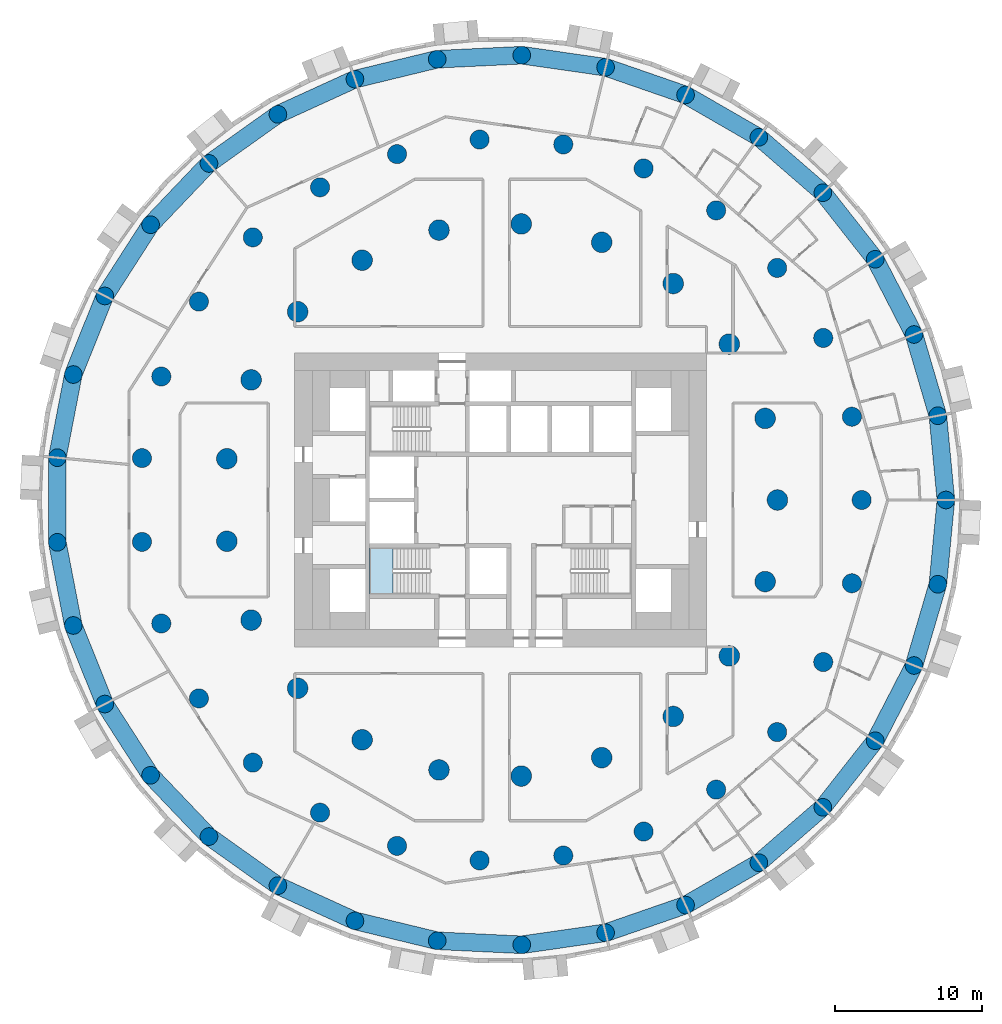
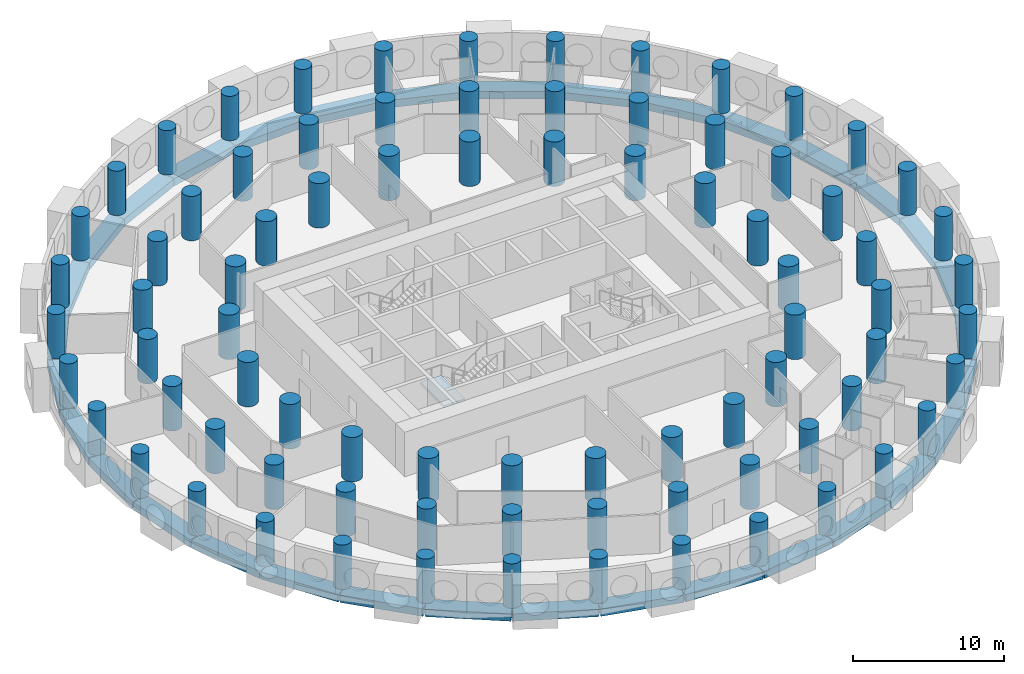
# One storey, part 1 of 12: 81 columns, 33 beams, 1 slab, 1 element without a shape of its own.
"""IFC4 building model written with IfcOpenShell, lengths in metres."""

import ifcopenshell
import ifcopenshell.guid

model = None  # the IFC model being written
_history = None  # IfcOwnerHistory: only IFC2X3 demands one
_inside = {}  # id of a spatial element -> (the spatial element, [elements in it])
_under = {}  # id of a project, library or spatial element -> (it, [spatial elements below it])
_declared = {}  # id of a project -> (the project, [libraries it declares])
_typed = {}  # id of a type object -> (the type object, [elements of that type])
_made_of = {}  # id of a material, layer set ... -> (it, [elements and type objects made of it])


def new_model(schema):
    """Start an empty IFC model of exactly this schema.

    Asked for "IFC4X3", IfcOpenShell would pick the latest addendum, in which some entities
    have other attributes; the version numbers below select the first issue.
    IFC2X3 requires an IfcOwnerHistory on every rooted entity: one is made here for all.
    """
    global model, _history
    if schema == "IFC4X3":
        model = ifcopenshell.file(schema_version=(4, 3, 0, 0))
    else:
        model = ifcopenshell.file(schema=schema)
    _inside.clear()
    _under.clear()
    _declared.clear()
    _typed.clear()
    _made_of.clear()
    _history = None
    if model.schema == "IFC2X3":
        org = make("IfcOrganization", Name="unknown")
        user = make(
            "IfcPersonAndOrganization",
            ThePerson=make("IfcPerson", FamilyName="unknown"),
            TheOrganization=org,
        )
        app = make(
            "IfcApplication",
            ApplicationDeveloper=org,
            Version="unknown",
            ApplicationFullName="unknown",
            ApplicationIdentifier="unknown",
        )
        _history = make(
            "IfcOwnerHistory",
            OwningUser=user,
            OwningApplication=app,
            ChangeAction="ADDED",
            CreationDate=0,
        )
    return model


def make(cls, **values):
    """One entity of the class cls with the attributes given. An attribute that is None is left unset."""
    return model.create_entity(
        cls, **{name: value for name, value in values.items() if value is not None}
    )


def rooted(cls, **values):
    """An entity with a GlobalId (a new one), such as an element, a storey or a relation."""
    return make(cls, GlobalId=ifcopenshell.guid.new(), OwnerHistory=_history, **values)


def si_unit(unit_type, name, prefix=None):
    """IfcSIUnit, for example si_unit("LENGTHUNIT", "METRE", prefix="MILLI")."""
    return make("IfcSIUnit", UnitType=unit_type, Prefix=prefix, Name=name)


def assignment(units):
    """IfcUnitAssignment: the units of a project."""
    return None if units is None else make("IfcUnitAssignment", Units=units)


def point(xyz):
    """IfcCartesianPoint."""
    return None if xyz is None else make("IfcCartesianPoint", Coordinates=xyz)


def direction(xyz):
    """IfcDirection."""
    return None if xyz is None else make("IfcDirection", DirectionRatios=xyz)


def frame(location, z_axis=None, x_axis=None):
    """IfcAxis2Placement3D, a coordinate frame: its origin and axes. An axis left out is left unset."""
    return make(
        "IfcAxis2Placement3D",
        Location=point(location),
        Axis=direction(z_axis),
        RefDirection=direction(x_axis),
    )


def frame_2d(location, x_axis=None):
    """IfcAxis2Placement2D, a coordinate frame in the plane: its origin and x axis."""
    return make(
        "IfcAxis2Placement2D", Location=point(location), RefDirection=direction(x_axis)
    )


def origin():
    """The frame at (0, 0, 0) with its axes left unset."""
    return frame((0.0, 0.0, 0.0))


def origin_2d():
    """The frame at (0, 0) in the plane with its x axis left unset."""
    return frame_2d((0.0, 0.0))


def place(relative_to, where):
    """IfcLocalPlacement: puts the frame where relative to a parent placement (None: the world)."""
    return make(
        "IfcLocalPlacement", PlacementRelTo=relative_to, RelativePlacement=where
    )


def context(
    kind, dimensions, precision=None, world=None, true_north=None, identifier=None
):
    """IfcGeometricRepresentationContext, for example the 3D "Model" context."""
    return make(
        "IfcGeometricRepresentationContext",
        ContextIdentifier=identifier,
        ContextType=kind,
        CoordinateSpaceDimension=dimensions,
        Precision=precision,
        WorldCoordinateSystem=world,
        TrueNorth=true_north,
    )


def subcontext(parent, identifier, kind, view, scale=None):
    """IfcGeometricRepresentationSubContext, for example "Body" below "Model"."""
    return make(
        "IfcGeometricRepresentationSubContext",
        ContextIdentifier=identifier,
        ContextType=kind,
        ParentContext=parent,
        TargetScale=scale,
        TargetView=view,
    )


def project(units=None, contexts=None):
    """IfcProject with its units and contexts."""
    return rooted(
        "IfcProject",
        Name="project",
        RepresentationContexts=contexts,
        UnitsInContext=assignment(units),
    )


def spatial(cls, under=None, at=None, **own):
    """A site, building, storey or space (cls), placed at a placement, below another one or the project."""
    s = rooted(cls, ObjectPlacement=at, **own)
    if under is not None:
        _under.setdefault(under.id(), (under, []))[1].append(s)
    return s


def polyline(points):
    """IfcPolyline through the points."""
    return make("IfcPolyline", Points=[point(p) for p in points])


def profile(cls, at=None, kind="AREA", **sizes):
    """A parametric profile (cls). Its sizes go by their IFC names, for example OverallWidth=200.0."""
    return make(cls, ProfileType=kind, Position=at, **sizes)


def rectangle(**sizes):
    """IfcRectangleProfileDef."""
    return profile("IfcRectangleProfileDef", **sizes)


def circle(**sizes):
    """IfcCircleProfileDef."""
    return profile("IfcCircleProfileDef", **sizes)


def outline(outer, holes=None, kind="AREA"):
    """IfcArbitraryClosedProfileDef: a profile drawn as a closed curve; with holes, ...WithVoids."""
    if holes is None:
        return make("IfcArbitraryClosedProfileDef", ProfileType=kind, OuterCurve=outer)
    return make(
        "IfcArbitraryProfileDefWithVoids",
        ProfileType=kind,
        OuterCurve=outer,
        InnerCurves=holes,
    )


def extrude(swept, where, along, depth):
    """IfcExtrudedAreaSolid: the profile swept, set in the frame where, extruded along a direction by depth."""
    return make(
        "IfcExtrudedAreaSolid",
        SweptArea=swept,
        Position=where,
        ExtrudedDirection=direction(along),
        Depth=depth,
    )


def shape(context_of_items, identifier, shape_type, items):
    """IfcShapeRepresentation: the items that make up one representation, for example the "Body"."""
    return make(
        "IfcShapeRepresentation",
        ContextOfItems=context_of_items,
        RepresentationIdentifier=identifier,
        RepresentationType=shape_type,
        Items=items,
    )


def material(Name=None, Category=None):
    """IfcMaterial."""
    return make("IfcMaterial", Name=Name, Category=Category)


def layer(
    of_material, thickness, ventilated=None, Name=None, Category=None, Priority=None
):
    """IfcMaterialLayer: one layer of a wall or slab, of a material (None: an air gap)."""
    return make(
        "IfcMaterialLayer",
        Material=of_material,
        LayerThickness=thickness,
        IsVentilated=ventilated,
        Name=Name,
        Category=Category,
        Priority=Priority,
    )


def layer_set(layers, Name=None):
    """IfcMaterialLayerSet."""
    return make("IfcMaterialLayerSet", MaterialLayers=layers, LayerSetName=Name)


def material_profile(
    of_material, cross_section, Name=None, Category=None, Priority=None
):
    """IfcMaterialProfile: a cross section and its material."""
    return make(
        "IfcMaterialProfile",
        Name=Name,
        Material=of_material,
        Profile=cross_section,
        Priority=Priority,
        Category=Category,
    )


def profile_set(profiles, Name=None, composite=None):
    """IfcMaterialProfileSet."""
    return make(
        "IfcMaterialProfileSet",
        Name=Name,
        MaterialProfiles=profiles,
        CompositeProfile=composite,
    )


def made_of(thing, what):
    """Note that an element or type object is made of a material, layer set ...; save() writes the relation."""
    if what is not None:
        _made_of.setdefault(what.id(), (what, []))[1].append(thing)
    return thing


def type_object(cls, material=None, **own):
    """A type object (cls), such as IfcWallType, which elements share."""
    return made_of(rooted(cls, **own), material)


def element(
    cls,
    number,
    at=None,
    inside=None,
    cuts=None,
    type_object=None,
    material=None,
    context=None,
    identifier="Body",
    shape_type=None,
    held_by="IfcProductDefinitionShape",
    body=None,
    shapes=None,
    **own,
):
    """One element of the class cls, such as IfcWall. Its Tag is "e" and its number.

    at: its placement. inside: the storey or other place that contains it. cuts: it is an
    opening in that element (IfcRelVoidsElement). A single representation is given by context,
    identifier, shape_type and body (its items); several are given by shapes. held_by: the class
    of the entity that holds the representations. save() writes the other relations.
    """
    e = rooted(cls, Tag="e%d" % number, ObjectPlacement=at, **own)
    if body is not None:
        shapes = [shape(context, identifier, shape_type, body)]
    if shapes is not None:
        e.Representation = make(held_by, Representations=shapes)
    if inside is not None:
        _inside.setdefault(inside.id(), (inside, []))[1].append(e)
    if cuts is not None:
        rooted(
            "IfcRelVoidsElement", RelatingBuildingElement=cuts, RelatedOpeningElement=e
        )
    if type_object is not None:
        _typed.setdefault(type_object.id(), (type_object, []))[1].append(e)
    return made_of(e, material)


def aggregate(whole, parts):
    """IfcRelAggregates: a whole, such as a stair, and the parts it consists of."""
    return rooted("IfcRelAggregates", RelatingObject=whole, RelatedObjects=parts)


def save(model, path):
    """Write the relations noted so far, then the file.

    IfcRelAggregates (storeys below a building ...), IfcRelContainedInSpatialStructure (elements
    in a storey), IfcRelDefinesByType, IfcRelAssociatesMaterial and IfcRelDeclares: one each for
    every whole, place, type object, material and project.
    """
    for whole, parts in _under.values():
        aggregate(whole, parts)
    for where, things in _inside.values():
        rooted(
            "IfcRelContainedInSpatialStructure",
            RelatedElements=things,
            RelatingStructure=where,
        )
    for kind, things in _typed.values():
        rooted("IfcRelDefinesByType", RelatedObjects=things, RelatingType=kind)
    for what, things in _made_of.values():
        rooted("IfcRelAssociatesMaterial", RelatedObjects=things, RelatingMaterial=what)
    for by, libraries in _declared.values():
        rooted("IfcRelDeclares", RelatingContext=by, RelatedDefinitions=libraries)
    model.write(path)


model = new_model("IFC4")

# Units and contexts
model_context = context("Model", 3, precision=1e-05, world=origin(), true_north=direction((0.0, 1.0)))
body_context = subcontext(model_context, "Body", "Model", "MODEL_VIEW")
ifc_project = project(units=[si_unit("LENGTHUNIT", "METRE"), si_unit("AREAUNIT", "SQUARE_METRE"), si_unit("VOLUMEUNIT", "CUBIC_METRE"), si_unit("PLANEANGLEUNIT", "RADIAN"), si_unit("MASSUNIT", "GRAM", prefix="KILO")], contexts=[model_context])

# Site, building, storey
site_placement = place(None, origin())
site = spatial("IfcSite", under=ifc_project, at=site_placement, CompositionType="ELEMENT")
building_placement = place(site_placement, origin())
building = spatial("IfcBuilding", under=site, at=building_placement, Name="Tracery Tower", CompositionType="ELEMENT")
storey_placement = place(building_placement, frame((0.0, 0.0, 71.39990234375)))
storey = spatial("IfcBuildingStorey", under=building, at=storey_placement, Name="L17", CompositionType="ELEMENT", Elevation=71.39990234375)

# Columns
ifc_material_1 = material(Name="Concrete C60/75", Category="concrete")
ifc_material_profile_1 = material_profile(ifc_material_1, circle(Radius=0.60009765625, at=origin_2d()), Name="RC D1200")
ifc_profile_set_1 = profile_set([ifc_material_profile_1], Name="Concrete C60/75")
column_type_1 = type_object("IfcColumnType", Name="Ring 0 column 1200", PredefinedType="COLUMN", material=ifc_profile_set_1)
for number, where, z_axis, x_axis, name in (
    (1, (30.274658203125, 0.0, 0.0), (0.0, 0.0, 1.0), (1.0, 0.0, 0.0), "Ring 0 column 00 at L17"),
    (2, (29.7275390625, 5.7294921875, 0.0), (0.0, 0.0, 1.0), (1.0, 0.0, 0.0), "Ring 0 column 01 at L17"),
    (3, (28.10595703125, 11.251953125, 0.0), (0.0, 0.0, 1.0), (1.0, 0.0, 0.0), "Ring 0 column 02 at L17"),
    (4, (25.468505859375, 16.36767578125, 0.0), (0.0, 0.0, 1.0), (1.0, 0.0, 0.0), "Ring 0 column 03 at L17"),
    (5, (21.910888671875, 20.891845703125, 0.0), (0.0, 0.0, 1.0), (1.0, 0.0, 0.0), "Ring 0 column 04 at L17"),
    (6, (17.56103515625, 24.660888671875, 0.0), (0.0, 0.0, 1.0), (1.0, 0.0, 0.0), "Ring 0 column 05 at L17"),
    (7, (12.576416015625, 27.538818359375, 0.0), (0.0, 0.0, 1.0), (1.0, 0.0, 0.0), "Ring 0 column 06 at L17"),
    (8, (7.137451171875, 29.421142578125, 0.0), (0.0, 0.0, 1.0), (1.0, 0.0, 0.0), "Ring 0 column 07 at L17"),
    (9, (1.4404296875, 30.240234375, 0.0), (0.0, 0.0, 1.0), (1.0, 0.0, 0.0), "Ring 0 column 08 at L17"),
    (10, (-4.30859375, 29.96630859375, 0.0), (0.0, 0.0, 1.0), (1.0, 0.0, 0.0), "Ring 0 column 09 at L17"),
    (11, (-9.90185546875, 28.609619140625, 0.0), (0.0, 0.0, 1.0), (1.0, 0.0, 0.0), "Ring 0 column 10 at L17"),
    (12, (-15.13720703125, 26.218505859375, 0.0), (0.0, 0.0, 1.0), (1.0, 0.0, 0.0), "Ring 0 column 11 at L17"),
    (13, (-19.82568359375, 22.8798828125, 0.0), (0.0, 0.0, 1.0), (1.0, 0.0, 0.0), "Ring 0 column 12 at L17"),
    (14, (-23.79736328125, 18.714599609375, 0.0), (0.0, 0.0, 1.0), (1.0, 0.0, 0.0), "Ring 0 column 13 at L17"),
    (15, (-26.9091796875, 13.87255859375, 0.0), (0.0, 0.0, 1.0), (1.0, 0.0, 0.0), "Ring 0 column 14 at L17"),
    (16, (-29.04833984375, 8.529296875, 0.0), (0.0, 0.0, 1.0), (1.0, 0.0, 0.0), "Ring 0 column 15 at L17"),
    (17, (-30.137451171875, 2.877685546875, 0.0), (0.0, 0.0, 1.0), (1.0, 0.0, 0.0), "Ring 0 column 16 at L17"),
    (18, (-30.137451171875, -2.877685546875, 0.0), (0.0, 0.0, 1.0), (1.0, 0.0, 0.0), "Ring 0 column 17 at L17"),
    (19, (-29.04833984375, -8.529296875, 0.0), (0.0, 0.0, 1.0), (1.0, 0.0, 0.0), "Ring 0 column 18 at L17"),
    (20, (-26.9091796875, -13.87255859375, 0.0), (0.0, 0.0, 1.0), (1.0, 0.0, 0.0), "Ring 0 column 19 at L17"),
    (21, (-23.79736328125, -18.714599609375, 0.0), (0.0, 0.0, 1.0), (1.0, 0.0, 0.0), "Ring 0 column 20 at L17"),
    (22, (-19.82568359375, -22.8798828125, 0.0), (0.0, 0.0, 1.0), (1.0, 0.0, 0.0), "Ring 0 column 21 at L17"),
    (23, (-15.13720703125, -26.218505859375, 0.0), (0.0, 0.0, 1.0), (1.0, 0.0, 0.0), "Ring 0 column 22 at L17"),
    (24, (-9.90185546875, -28.609619140625, 0.0), (0.0, 0.0, 1.0), (1.0, 0.0, 0.0), "Ring 0 column 23 at L17"),
    (25, (-4.30859375, -29.96630859375, 0.0), (0.0, 0.0, 1.0), (1.0, 0.0, 0.0), "Ring 0 column 24 at L17"),
    (26, (1.4404296875, -30.240234375, 0.0), (0.0, 0.0, 1.0), (1.0, 0.0, 0.0), "Ring 0 column 25 at L17"),
    (27, (7.137451171875, -29.421142578125, 0.0), (0.0, 0.0, 1.0), (1.0, 0.0, 0.0), "Ring 0 column 26 at L17"),
    (28, (12.576416015625, -27.538818359375, 0.0), (0.0, 0.0, 1.0), (1.0, 0.0, 0.0), "Ring 0 column 27 at L17"),
    (29, (17.56103515625, -24.660888671875, 0.0), (0.0, 0.0, 1.0), (1.0, 0.0, 0.0), "Ring 0 column 28 at L17"),
    (30, (21.910888671875, -20.891845703125, 0.0), (0.0, 0.0, 1.0), (1.0, 0.0, 0.0), "Ring 0 column 29 at L17"),
    (31, (25.468505859375, -16.36767578125, 0.0), (0.0, 0.0, 1.0), (1.0, 0.0, 0.0), "Ring 0 column 30 at L17"),
    (32, (28.10595703125, -11.251953125, 0.0), (0.0, 0.0, 1.0), (1.0, 0.0, 0.0), "Ring 0 column 31 at L17"),
    (33, (29.7275390625, -5.7294921875, 0.0), (0.0, 0.0, 1.0), (1.0, 0.0, 0.0), "Ring 0 column 32 at L17"),
):
    element("IfcColumn", number, at=place(storey_placement, frame(where, z_axis=z_axis, x_axis=x_axis)), inside=storey, type_object=column_type_1, Name=name, PredefinedType="COLUMN", context=body_context, shape_type="SweptSolid", body=[
        extrude(circle(Radius=0.60009765625, at=origin_2d()), origin(), (0.0, 0.0, 1.0), 3.60009765625),
    ])
ifc_material_2 = material(Name="Concrete C60/75", Category="concrete")
ifc_material_profile_2 = material_profile(ifc_material_2, circle(Radius=0.64990234375, at=origin_2d()), Name="RC D1300")
ifc_profile_set_2 = profile_set([ifc_material_profile_2], Name="Concrete C60/75")
column_type_2 = type_object("IfcColumnType", Name="Ring 1 column 1300", PredefinedType="COLUMN", material=ifc_profile_set_2)
for number, where, z_axis, x_axis, name in (
    (34, (24.547607421875, 0.0, 0.0), (0.0, 0.0, 1.0), (1.0, 0.0, 0.0), "Ring 1 column 00 at L17"),
    (35, (23.885986328125, 5.6611328125, 0.0), (0.0, 0.0, 1.0), (1.0, 0.0, 0.0), "Ring 1 column 01 at L17"),
    (36, (21.9365234375, 11.01708984375, 0.0), (0.0, 0.0, 1.0), (1.0, 0.0, 0.0), "Ring 1 column 02 at L17"),
    (37, (18.8046875, 15.779052734375, 0.0), (0.0, 0.0, 1.0), (1.0, 0.0, 0.0), "Ring 1 column 03 at L17"),
    (38, (14.658935546875, 19.690185546875, 0.0), (0.0, 0.0, 1.0), (1.0, 0.0, 0.0), "Ring 1 column 04 at L17"),
    (39, (9.722900390625, 22.5400390625, 0.0), (0.0, 0.0, 1.0), (1.0, 0.0, 0.0), "Ring 1 column 05 at L17"),
    (40, (4.2626953125, 24.1748046875, 0.0), (0.0, 0.0, 1.0), (1.0, 0.0, 0.0), "Ring 1 column 06 at L17"),
    (41, (-1.42724609375, 24.506103515625, 0.0), (0.0, 0.0, 1.0), (1.0, 0.0, 0.0), "Ring 1 column 07 at L17"),
    (42, (-7.040283203125, 23.516357421875, 0.0), (0.0, 0.0, 1.0), (1.0, 0.0, 0.0), "Ring 1 column 08 at L17"),
    (43, (-12.273681640625, 21.2587890625, 0.0), (0.0, 0.0, 1.0), (1.0, 0.0, 0.0), "Ring 1 column 09 at L17"),
    (44, (-16.845703125, 17.855224609375, 0.0), (0.0, 0.0, 1.0), (1.0, 0.0, 0.0), "Ring 1 column 10 at L17"),
    (45, (-20.50927734375, 13.4892578125, 0.0), (0.0, 0.0, 1.0), (1.0, 0.0, 0.0), "Ring 1 column 11 at L17"),
    (46, (-23.0673828125, 8.395751953125, 0.0), (0.0, 0.0, 1.0), (1.0, 0.0, 0.0), "Ring 1 column 12 at L17"),
    (47, (-24.381591796875, 2.849853515625, 0.0), (0.0, 0.0, 1.0), (1.0, 0.0, 0.0), "Ring 1 column 13 at L17"),
    (48, (-24.381591796875, -2.849853515625, 0.0), (0.0, 0.0, 1.0), (1.0, 0.0, 0.0), "Ring 1 column 14 at L17"),
    (49, (-23.0673828125, -8.395751953125, 0.0), (0.0, 0.0, 1.0), (1.0, 0.0, 0.0), "Ring 1 column 15 at L17"),
    (50, (-20.50927734375, -13.4892578125, 0.0), (0.0, 0.0, 1.0), (1.0, 0.0, 0.0), "Ring 1 column 16 at L17"),
    (51, (-16.845703125, -17.85546875, 0.0), (0.0, 0.0, 1.0), (1.0, 0.0, 0.0), "Ring 1 column 17 at L17"),
    (52, (-12.27392578125, -21.2587890625, 0.0), (0.0, 0.0, 1.0), (1.0, 0.0, 0.0), "Ring 1 column 18 at L17"),
    (53, (-7.040283203125, -23.516357421875, 0.0), (0.0, 0.0, 1.0), (1.0, 0.0, 0.0), "Ring 1 column 19 at L17"),
    (54, (-1.42724609375, -24.506103515625, 0.0), (0.0, 0.0, 1.0), (1.0, 0.0, 0.0), "Ring 1 column 20 at L17"),
    (55, (4.2626953125, -24.1748046875, 0.0), (0.0, 0.0, 1.0), (1.0, 0.0, 0.0), "Ring 1 column 21 at L17"),
    (56, (9.722900390625, -22.5400390625, 0.0), (0.0, 0.0, 1.0), (1.0, 0.0, 0.0), "Ring 1 column 22 at L17"),
    (57, (14.658935546875, -19.690185546875, 0.0), (0.0, 0.0, 1.0), (1.0, 0.0, 0.0), "Ring 1 column 23 at L17"),
    (58, (18.8046875, -15.779052734375, 0.0), (0.0, 0.0, 1.0), (1.0, 0.0, 0.0), "Ring 1 column 24 at L17"),
    (59, (21.9365234375, -11.01708984375, 0.0), (0.0, 0.0, 1.0), (1.0, 0.0, 0.0), "Ring 1 column 25 at L17"),
    (60, (23.885986328125, -5.6611328125, 0.0), (0.0, 0.0, 1.0), (1.0, 0.0, 0.0), "Ring 1 column 26 at L17"),
):
    element("IfcColumn", number, at=place(storey_placement, frame(where, z_axis=z_axis, x_axis=x_axis)), inside=storey, type_object=column_type_2, Name=name, PredefinedType="COLUMN", context=body_context, shape_type="SweptSolid", body=[
        extrude(circle(Radius=0.64990234375, at=origin_2d()), origin(), (0.0, 0.0, 1.0), 3.60009765625),
    ])
ifc_material_3 = material(Name="Concrete C60/75", Category="concrete")
ifc_material_profile_3 = material_profile(ifc_material_3, circle(Radius=0.699951171875, at=origin_2d()), Name="RC D1400")
ifc_profile_set_3 = profile_set([ifc_material_profile_3], Name="Concrete C60/75")
column_type_3 = type_object("IfcColumnType", Name="Ring 2 column 1400", PredefinedType="COLUMN", material=ifc_profile_set_3)
for number, where, z_axis, x_axis, name in (
    (61, (18.822265625, 0.0, 0.0), (0.0, 0.0, 1.0), (1.0, 0.0, 0.0), "Ring 2 column 00 at L17"),
    (62, (17.986083984375, 5.5478515625, 0.0), (0.0, 0.0, 1.0), (1.0, 0.0, 0.0), "Ring 2 column 01 at L17"),
    (63, (15.551513671875, 10.602783203125, 0.0), (0.0, 0.0, 1.0), (1.0, 0.0, 0.0), "Ring 2 column 02 at L17"),
    (64, (11.7353515625, 14.7158203125, 0.0), (0.0, 0.0, 1.0), (1.0, 0.0, 0.0), "Ring 2 column 03 at L17"),
    (65, (6.87646484375, 17.52099609375, 0.0), (0.0, 0.0, 1.0), (1.0, 0.0, 0.0), "Ring 2 column 04 at L17"),
    (66, (1.406494140625, 18.76953125, 0.0), (0.0, 0.0, 1.0), (1.0, 0.0, 0.0), "Ring 2 column 05 at L17"),
    (67, (-4.188232421875, 18.350341796875, 0.0), (0.0, 0.0, 1.0), (1.0, 0.0, 0.0), "Ring 2 column 06 at L17"),
    (68, (-9.4111328125, 16.300537109375, 0.0), (0.0, 0.0, 1.0), (1.0, 0.0, 0.0), "Ring 2 column 07 at L17"),
    (69, (-13.797607421875, 12.802490234375, 0.0), (0.0, 0.0, 1.0), (1.0, 0.0, 0.0), "Ring 2 column 08 at L17"),
    (70, (-16.958251953125, 8.16650390625, 0.0), (0.0, 0.0, 1.0), (1.0, 0.0, 0.0), "Ring 2 column 09 at L17"),
    (71, (-18.612060546875, 2.805419921875, 0.0), (0.0, 0.0, 1.0), (1.0, 0.0, 0.0), "Ring 2 column 10 at L17"),
    (72, (-18.612060546875, -2.805419921875, 0.0), (0.0, 0.0, 1.0), (1.0, 0.0, 0.0), "Ring 2 column 11 at L17"),
    (73, (-16.958251953125, -8.166748046875, 0.0), (0.0, 0.0, 1.0), (1.0, 0.0, 0.0), "Ring 2 column 12 at L17"),
    (74, (-13.797607421875, -12.80224609375, 0.0), (0.0, 0.0, 1.0), (1.0, 0.0, 0.0), "Ring 2 column 13 at L17"),
    (75, (-9.4111328125, -16.300537109375, 0.0), (0.0, 0.0, 1.0), (1.0, 0.0, 0.0), "Ring 2 column 14 at L17"),
    (76, (-4.188232421875, -18.350341796875, 0.0), (0.0, 0.0, 1.0), (1.0, 0.0, 0.0), "Ring 2 column 15 at L17"),
    (77, (1.406494140625, -18.76953125, 0.0), (0.0, 0.0, 1.0), (1.0, 0.0, 0.0), "Ring 2 column 16 at L17"),
    (78, (6.87646484375, -17.52099609375, 0.0), (0.0, 0.0, 1.0), (1.0, 0.0, 0.0), "Ring 2 column 17 at L17"),
    (79, (11.7353515625, -14.7158203125, 0.0), (0.0, 0.0, 1.0), (1.0, 0.0, 0.0), "Ring 2 column 18 at L17"),
    (80, (15.551513671875, -10.602783203125, 0.0), (0.0, 0.0, 1.0), (1.0, 0.0, 0.0), "Ring 2 column 19 at L17"),
    (81, (17.986083984375, -5.5478515625, 0.0), (0.0, 0.0, 1.0), (1.0, 0.0, 0.0), "Ring 2 column 20 at L17"),
):
    element("IfcColumn", number, at=place(storey_placement, frame(where, z_axis=z_axis, x_axis=x_axis)), inside=storey, type_object=column_type_3, Name=name, PredefinedType="COLUMN", context=body_context, shape_type="SweptSolid", body=[
        extrude(circle(Radius=0.699951171875, at=origin_2d()), origin(), (0.0, 0.0, 1.0), 3.60009765625),
    ])

# Beams
ifc_material_4 = material(Name="Concrete C60/75", Category="concrete")
ifc_material_profile_4 = material_profile(ifc_material_4, rectangle(XDim=1.199951171875, YDim=0.60009765625, at=origin_2d()), Name="RC 1200x600")
ifc_profile_set_4 = profile_set([ifc_material_profile_4], Name="Concrete C60/75")
beam_type = type_object("IfcBeamType", Name="Perimeter band beam 1200x600", PredefinedType="BEAM", material=ifc_profile_set_4)
for number, where, z_axis, x_axis, name in (
    (82, (30.274658203125, 0.0, -0.75), (-0.095059309677, 0.995471610667, 0.0), (-0.995471610667, -0.095059309677, 0.0), "Perimeter beam 0.00 under L17"),
    (83, (29.7275390625, 5.7294921875, -0.75), (-0.281739145896, 0.959491038869, 0.0), (-0.959491038869, -0.281739145896, 0.0), "Perimeter beam 0.01 under L17"),
    (84, (28.10595703125, 11.251953125, -0.75), (-0.458242010493, 0.88882746347, 0.0), (-0.88882746347, -0.458242010493, 0.0), "Perimeter beam 0.02 under L17"),
):
    element("IfcBeam", number, at=place(storey_placement, frame(where, z_axis=z_axis, x_axis=x_axis)), inside=storey, type_object=beam_type, Name=name, PredefinedType="BEAM", context=body_context, shape_type="SweptSolid", body=[
        extrude(rectangle(XDim=1.199951171875, YDim=0.60009765625, at=origin_2d()), origin(), (0.0, 0.0, 1.0), 5.755615234375),
    ])
beam_1_placement = place(storey_placement, frame((25.468505859375, 16.36767578125, -0.75), z_axis=(-0.618134362257, 0.786072458618, 0.0), x_axis=(-0.786072458618, -0.618134362257, 0.0)))
element("IfcBeam", 85, at=beam_1_placement, inside=storey, type_object=beam_type, Name="Perimeter beam 0.03 under L17", PredefinedType="BEAM", context=body_context, shape_type="SweptSolid", body=[
    extrude(rectangle(XDim=1.199951171875, YDim=0.60009765625, at=origin_2d()), origin(), (0.0, 0.0, 1.0), 5.75537109375),
])
beam_2_placement = place(storey_placement, frame((21.910888671875, 20.891845703125, -0.75), z_axis=(-0.755760456715, 0.65484817482, 0.0), x_axis=(-0.65484817482, -0.755760456715, 0.0)))
element("IfcBeam", 86, at=beam_2_placement, inside=storey, type_object=beam_type, Name="Perimeter beam 0.04 under L17", PredefinedType="BEAM", context=body_context, shape_type="SweptSolid", body=[
    extrude(rectangle(XDim=1.199951171875, YDim=0.60009765625, at=origin_2d()), origin(), (0.0, 0.0, 1.0), 5.755615234375),
])
beam_3_placement = place(storey_placement, frame((17.56103515625, 24.660888671875, -0.75), z_axis=(-0.866021003874, 0.50000762079, 0.0), x_axis=(-0.50000762079, -0.866021003874, 0.0)))
element("IfcBeam", 87, at=beam_3_placement, inside=storey, type_object=beam_type, Name="Perimeter beam 0.05 under L17", PredefinedType="BEAM", context=body_context, shape_type="SweptSolid", body=[
    extrude(rectangle(XDim=1.199951171875, YDim=0.60009765625, at=origin_2d()), origin(), (0.0, 0.0, 1.0), 5.755859375),
])
beam_4_placement = place(storey_placement, frame((12.576416015625, 27.538818359375, -0.75), z_axis=(-0.945007252869, 0.327049372458, 0.0), x_axis=(-0.327049372458, -0.945007252869, 0.0)))
element("IfcBeam", 88, at=beam_4_placement, inside=storey, type_object=beam_type, Name="Perimeter beam 0.06 under L17", PredefinedType="BEAM", context=body_context, shape_type="SweptSolid", body=[
    extrude(rectangle(XDim=1.199951171875, YDim=0.60009765625, at=origin_2d()), origin(), (0.0, 0.0, 1.0), 5.75537109375),
])
for number, where, z_axis, x_axis, name in (
    (89, (7.137451171875, 29.421142578125, -0.75), (-0.989821839174, 0.142312075013, 0.0), (-0.142312075013, -0.989821839174, 0.0), "Perimeter beam 0.07 under L17"),
    (90, (1.4404296875, 30.240234375, -0.75), (-0.998866793759, -0.047593364303, 0.0), (0.047593364303, -0.998866793759, 0.0), "Perimeter beam 0.08 under L17"),
):
    element("IfcBeam", number, at=place(storey_placement, frame(where, z_axis=z_axis, x_axis=x_axis)), inside=storey, type_object=beam_type, Name=name, PredefinedType="BEAM", context=body_context, shape_type="SweptSolid", body=[
        extrude(rectangle(XDim=1.199951171875, YDim=0.60009765625, at=origin_2d()), origin(), (0.0, 0.0, 1.0), 5.755615234375),
    ])
beam_5_placement = place(storey_placement, frame((-4.30859375, 29.96630859375, -0.75), z_axis=(-0.971820371509, -0.235722645328, 0.0), x_axis=(0.235722645328, -0.971820371509, 0.0)))
element("IfcBeam", 91, at=beam_5_placement, inside=storey, type_object=beam_type, Name="Perimeter beam 0.09 under L17", PredefinedType="BEAM", context=body_context, shape_type="SweptSolid", body=[
    extrude(rectangle(XDim=1.199951171875, YDim=0.60009765625, at=origin_2d()), origin(), (0.0, 0.0, 1.0), 5.75537109375),
])
for number, where, z_axis, x_axis, name in (
    (92, (-9.90185546875, 28.609619140625, -0.75), (-0.909618316865, -0.415444963411, 0.0), (0.415444963411, -0.909618316865, 0.0), "Perimeter beam 0.10 under L17"),
    (93, (-15.13720703125, 26.218505859375, -0.75), (-0.8145780864, -0.580053912285, 0.0), (0.580053912285, -0.8145780864, 0.0), "Perimeter beam 0.11 under L17"),
):
    element("IfcBeam", number, at=place(storey_placement, frame(where, z_axis=z_axis, x_axis=x_axis)), inside=storey, type_object=beam_type, Name=name, PredefinedType="BEAM", context=body_context, shape_type="SweptSolid", body=[
        extrude(rectangle(XDim=1.199951171875, YDim=0.60009765625, at=origin_2d()), origin(), (0.0, 0.0, 1.0), 5.755615234375),
    ])
beam_6_placement = place(storey_placement, frame((-19.82568359375, 22.8798828125, -0.75), z_axis=(-0.690087218267, -0.723726212863, 0.0), x_axis=(0.723726212863, -0.690087218267, 0.0)))
element("IfcBeam", 94, at=beam_6_placement, inside=storey, type_object=beam_type, Name="Perimeter beam 0.12 under L17", PredefinedType="BEAM", context=body_context, shape_type="SweptSolid", body=[
    extrude(rectangle(XDim=1.199951171875, YDim=0.60009765625, at=origin_2d()), origin(), (0.0, 0.0, 1.0), 5.75537109375),
])
beam_7_placement = place(storey_placement, frame((-23.79736328125, 18.714599609375, -0.75), z_axis=(-0.540643964602, -0.841251510274, 0.0), x_axis=(0.841251510274, -0.540643964602, 0.0)))
element("IfcBeam", 95, at=beam_7_placement, inside=storey, type_object=beam_type, Name="Perimeter beam 0.13 under L17", PredefinedType="BEAM", context=body_context, shape_type="SweptSolid", body=[
    extrude(rectangle(XDim=1.199951171875, YDim=0.60009765625, at=origin_2d()), origin(), (0.0, 0.0, 1.0), 5.755859375),
])
for number, where, z_axis, x_axis, name in (
    (96, (-26.9091796875, 13.87255859375, -0.75), (-0.371668572289, -0.928365484264, 0.0), (0.928365484264, -0.371668572289, 0.0), "Perimeter beam 0.14 under L17"),
    (97, (-29.04833984375, 8.529296875, -0.75), (-0.189226539295, -0.981933458451, 0.0), (0.981933458451, -0.189226539295, 0.0), "Perimeter beam 0.15 under L17"),
):
    element("IfcBeam", number, at=place(storey_placement, frame(where, z_axis=z_axis, x_axis=x_axis)), inside=storey, type_object=beam_type, Name=name, PredefinedType="BEAM", context=body_context, shape_type="SweptSolid", body=[
        extrude(rectangle(XDim=1.199951171875, YDim=0.60009765625, at=origin_2d()), origin(), (0.0, 0.0, 1.0), 5.755615234375),
    ])
beam_8_placement = place(storey_placement, frame((-30.137451171875, 2.877685546875, -0.75), z_axis=(0.0, -1.0, 0.0), x_axis=(1.0, 0.0, 0.0)))
element("IfcBeam", 98, at=beam_8_placement, inside=storey, type_object=beam_type, Name="Perimeter beam 0.16 under L17", PredefinedType="BEAM", context=body_context, shape_type="SweptSolid", body=[
    extrude(rectangle(XDim=1.199951171875, YDim=0.60009765625, at=origin_2d()), origin(), (0.0, 0.0, 1.0), 5.75537109375),
])
for number, where, z_axis, x_axis, name in (
    (99, (-30.137451171875, -2.877685546875, -0.75), (0.189226539295, -0.981933458451, 0.0), (0.981933458451, 0.189226539295, 0.0), "Perimeter beam 0.17 under L17"),
    (100, (-29.04833984375, -8.529296875, -0.75), (0.371668572289, -0.928365484264, 0.0), (0.928365484264, 0.371668572289, 0.0), "Perimeter beam 0.18 under L17"),
):
    element("IfcBeam", number, at=place(storey_placement, frame(where, z_axis=z_axis, x_axis=x_axis)), inside=storey, type_object=beam_type, Name=name, PredefinedType="BEAM", context=body_context, shape_type="SweptSolid", body=[
        extrude(rectangle(XDim=1.199951171875, YDim=0.60009765625, at=origin_2d()), origin(), (0.0, 0.0, 1.0), 5.755615234375),
    ])
beam_9_placement = place(storey_placement, frame((-26.9091796875, -13.87255859375, -0.75), z_axis=(0.540643964602, -0.841251510274, 0.0), x_axis=(0.841251510274, 0.540643964602, 0.0)))
element("IfcBeam", 101, at=beam_9_placement, inside=storey, type_object=beam_type, Name="Perimeter beam 0.19 under L17", PredefinedType="BEAM", context=body_context, shape_type="SweptSolid", body=[
    extrude(rectangle(XDim=1.199951171875, YDim=0.60009765625, at=origin_2d()), origin(), (0.0, 0.0, 1.0), 5.755859375),
])
beam_10_placement = place(storey_placement, frame((-23.79736328125, -18.714599609375, -0.75), z_axis=(0.690087218267, -0.723726212863, 0.0), x_axis=(0.723726212863, 0.690087218267, 0.0)))
element("IfcBeam", 102, at=beam_10_placement, inside=storey, type_object=beam_type, Name="Perimeter beam 0.20 under L17", PredefinedType="BEAM", context=body_context, shape_type="SweptSolid", body=[
    extrude(rectangle(XDim=1.199951171875, YDim=0.60009765625, at=origin_2d()), origin(), (0.0, 0.0, 1.0), 5.75537109375),
])
for number, where, z_axis, x_axis, name in (
    (103, (-19.82568359375, -22.8798828125, -0.75), (0.8145780864, -0.580053912285, 0.0), (0.580053912285, 0.8145780864, 0.0), "Perimeter beam 0.21 under L17"),
    (104, (-15.13720703125, -26.218505859375, -0.75), (0.909618316865, -0.415444963411, 0.0), (0.415444963411, 0.909618316865, 0.0), "Perimeter beam 0.22 under L17"),
):
    element("IfcBeam", number, at=place(storey_placement, frame(where, z_axis=z_axis, x_axis=x_axis)), inside=storey, type_object=beam_type, Name=name, PredefinedType="BEAM", context=body_context, shape_type="SweptSolid", body=[
        extrude(rectangle(XDim=1.199951171875, YDim=0.60009765625, at=origin_2d()), origin(), (0.0, 0.0, 1.0), 5.755615234375),
    ])
beam_11_placement = place(storey_placement, frame((-9.90185546875, -28.609619140625, -0.75), z_axis=(0.971820371509, -0.235722645328, 0.0), x_axis=(0.235722645328, 0.971820371509, 0.0)))
element("IfcBeam", 105, at=beam_11_placement, inside=storey, type_object=beam_type, Name="Perimeter beam 0.23 under L17", PredefinedType="BEAM", context=body_context, shape_type="SweptSolid", body=[
    extrude(rectangle(XDim=1.199951171875, YDim=0.60009765625, at=origin_2d()), origin(), (0.0, 0.0, 1.0), 5.75537109375),
])
for number, where, z_axis, x_axis, name in (
    (106, (-4.30859375, -29.96630859375, -0.75), (0.998866793759, -0.047593364303, 0.0), (0.047593364303, 0.998866793759, 0.0), "Perimeter beam 0.24 under L17"),
    (107, (1.4404296875, -30.240234375, -0.75), (0.989821839174, 0.142312075013, 0.0), (-0.142312075013, 0.989821839174, 0.0), "Perimeter beam 0.25 under L17"),
):
    element("IfcBeam", number, at=place(storey_placement, frame(where, z_axis=z_axis, x_axis=x_axis)), inside=storey, type_object=beam_type, Name=name, PredefinedType="BEAM", context=body_context, shape_type="SweptSolid", body=[
        extrude(rectangle(XDim=1.199951171875, YDim=0.60009765625, at=origin_2d()), origin(), (0.0, 0.0, 1.0), 5.755615234375),
    ])
beam_12_placement = place(storey_placement, frame((7.137451171875, -29.421142578125, -0.75), z_axis=(0.945007252869, 0.327049372458, 0.0), x_axis=(-0.327049372458, 0.945007252869, 0.0)))
element("IfcBeam", 108, at=beam_12_placement, inside=storey, type_object=beam_type, Name="Perimeter beam 0.26 under L17", PredefinedType="BEAM", context=body_context, shape_type="SweptSolid", body=[
    extrude(rectangle(XDim=1.199951171875, YDim=0.60009765625, at=origin_2d()), origin(), (0.0, 0.0, 1.0), 5.75537109375),
])
beam_13_placement = place(storey_placement, frame((12.576416015625, -27.538818359375, -0.75), z_axis=(0.866021003874, 0.50000762079, 0.0), x_axis=(-0.50000762079, 0.866021003874, 0.0)))
element("IfcBeam", 109, at=beam_13_placement, inside=storey, type_object=beam_type, Name="Perimeter beam 0.27 under L17", PredefinedType="BEAM", context=body_context, shape_type="SweptSolid", body=[
    extrude(rectangle(XDim=1.199951171875, YDim=0.60009765625, at=origin_2d()), origin(), (0.0, 0.0, 1.0), 5.755859375),
])
beam_14_placement = place(storey_placement, frame((17.56103515625, -24.660888671875, -0.75), z_axis=(0.755760456715, 0.65484817482, 0.0), x_axis=(-0.65484817482, 0.755760456715, 0.0)))
element("IfcBeam", 110, at=beam_14_placement, inside=storey, type_object=beam_type, Name="Perimeter beam 0.28 under L17", PredefinedType="BEAM", context=body_context, shape_type="SweptSolid", body=[
    extrude(rectangle(XDim=1.199951171875, YDim=0.60009765625, at=origin_2d()), origin(), (0.0, 0.0, 1.0), 5.755615234375),
])
beam_15_placement = place(storey_placement, frame((21.910888671875, -20.891845703125, -0.75), z_axis=(0.618134362257, 0.786072458618, 0.0), x_axis=(-0.786072458618, 0.618134362257, 0.0)))
element("IfcBeam", 111, at=beam_15_placement, inside=storey, type_object=beam_type, Name="Perimeter beam 0.29 under L17", PredefinedType="BEAM", context=body_context, shape_type="SweptSolid", body=[
    extrude(rectangle(XDim=1.199951171875, YDim=0.60009765625, at=origin_2d()), origin(), (0.0, 0.0, 1.0), 5.75537109375),
])
for number, where, z_axis, x_axis, name in (
    (112, (25.468505859375, -16.36767578125, -0.75), (0.458242010493, 0.88882746347, 0.0), (-0.88882746347, 0.458242010493, 0.0), "Perimeter beam 0.30 under L17"),
    (113, (28.10595703125, -11.251953125, -0.75), (0.281739145896, 0.959491038869, 0.0), (-0.959491038869, 0.281739145896, 0.0), "Perimeter beam 0.31 under L17"),
    (114, (29.7275390625, -5.7294921875, -0.75), (0.095059309677, 0.995471610667, 0.0), (-0.995471610667, 0.095059309677, 0.0), "Perimeter beam 0.32 under L17"),
):
    element("IfcBeam", number, at=place(storey_placement, frame(where, z_axis=z_axis, x_axis=x_axis)), inside=storey, type_object=beam_type, Name=name, PredefinedType="BEAM", context=body_context, shape_type="SweptSolid", body=[
        extrude(rectangle(XDim=1.199951171875, YDim=0.60009765625, at=origin_2d()), origin(), (0.0, 0.0, 1.0), 5.755615234375),
    ])

# Stair, slab
ifc_material_5 = material(Name="Concrete C32/40", Category="concrete")
stair_type = type_object("IfcStairType", Name="Core stair 22 risers", PredefinedType="HALF_TURN_STAIR", material=ifc_material_5)
stair_placement = place(storey_placement, origin())
stair = element("IfcStair", 115, at=stair_placement, inside=storey, type_object=stair_type, Name="L17 stair ST1", PredefinedType="HALF_TURN_STAIR")
ifc_material_6 = material(Name="Concrete C32/40", Category="concrete")
ifc_layer = layer(ifc_material_6, 0.199951171875)
ifc_layer_set = layer_set([ifc_layer], Name="Stair landing slab 200")
slab_type = type_object("IfcSlabType", Name="Stair landing slab 200", PredefinedType="LANDING", material=ifc_layer_set)
slab_placement = place(storey_placement, frame((0.0, 0.0, 1.60009765625)))
slab = element("IfcSlab", 116, at=slab_placement, type_object=slab_type, Name="ST1 landing 1", PredefinedType="LANDING", context=body_context, shape_type="SweptSolid", body=[
    extrude(outline(polyline([(-7.29931640625, -3.25), (-8.89990234375, -3.25), (-8.89990234375, -6.39990234375), (-7.29931640625, -6.39990234375), (-7.29931640625, -3.25)])), origin(), (0.0, 0.0, 1.0), 0.199951171875),
])
aggregate(stair, [slab])

save(model, "model.ifc")
